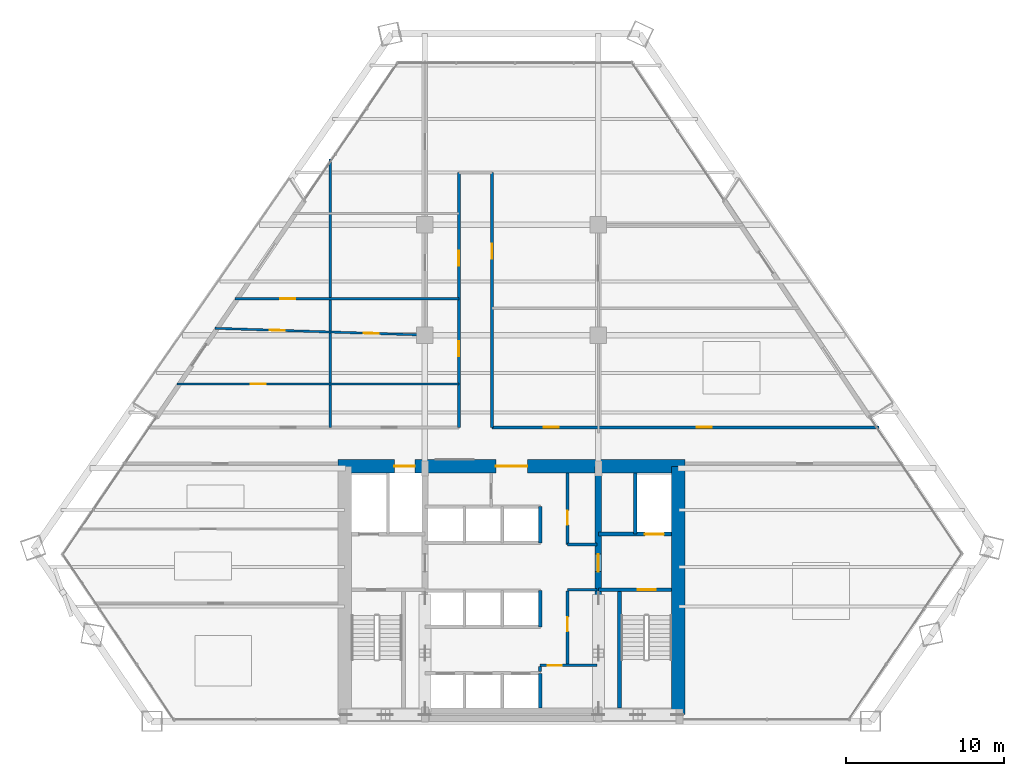
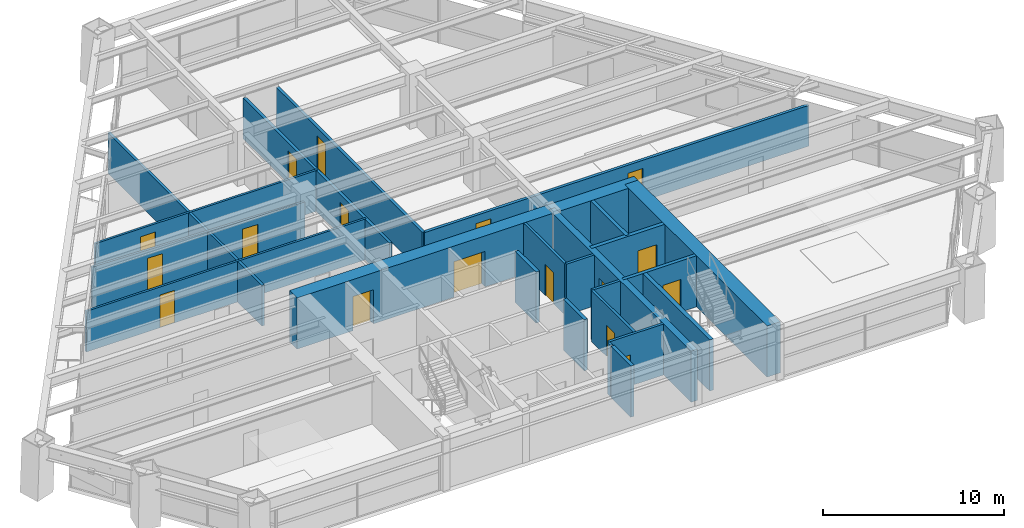
# One storey, part 11 of 14: 23 walls, 17 doors, 17 openings.
"""IFC4 building model written with IfcOpenShell, lengths in metres."""

from ifc_helpers import new_model, si_unit, direction, frame, frame_2d, origin, place, context, subcontext, project, spatial, rectangle, extrude, source, transform, mapped, material, layer, layer_set, type_object, type_shapes, element, fill, save


model = new_model("IFC4")

# Units and contexts
model_context = context("Model", 3, precision=1e-05, world=origin(), true_north=direction((0.0, 1.0)))
body_context = subcontext(model_context, "Body", "Model", "MODEL_VIEW")
ifc_project = project(units=[si_unit("LENGTHUNIT", "METRE"), si_unit("AREAUNIT", "SQUARE_METRE"), si_unit("VOLUMEUNIT", "CUBIC_METRE"), si_unit("PLANEANGLEUNIT", "RADIAN"), si_unit("MASSUNIT", "GRAM", prefix="KILO")], contexts=[model_context])

# Site, building, storey
site_placement = place(None, origin())
site = spatial("IfcSite", under=ifc_project, at=site_placement, CompositionType="ELEMENT")
building_placement = place(site_placement, origin())
building = spatial("IfcBuilding", under=site, at=building_placement, Name="Varnakhor Terracotta Tower", CompositionType="ELEMENT")
storey_placement = place(building_placement, frame((0.0, 0.0, 46.0)))
storey = spatial("IfcBuildingStorey", under=building, at=storey_placement, Name="L10", CompositionType="ELEMENT", Elevation=46.0)

# Wall, openings, doors
ifc_material_1 = material(Name="Concrete C60/75", Category="concrete")
ifc_layer_1 = layer(ifc_material_1, 0.85009765625, Name="Concrete C60/75")
ifc_layer_set_1 = layer_set([ifc_layer_1], Name="Concrete C60/75")
wall_type_1 = type_object("IfcWallType", Name="WAL-CORE-850", PredefinedType="SHEAR", material=ifc_layer_set_1)
wall_1_placement = place(storey_placement, frame((-11.0, 16.175048828125, 0.0), z_axis=(0.0, 0.0, 1.0), x_axis=(1.0, 0.0, 0.0)))
wall_1 = element("IfcWall", 1, at=wall_1_placement, inside=storey, type_object=wall_type_1, Name="L10 North Core Shear Wall", PredefinedType="SHEAR", context=body_context, shape_type="SweptSolid", body=[
    extrude(rectangle(XDim=22.0, YDim=0.85009765625, at=frame_2d((11.0, 0.0))), origin(), (0.0, 0.0, 1.0), 3.449951171875),
])
opening_1_placement = place(wall_1_placement, frame((3.570068359375, 0.0, 0.0)))
opening_1 = element("IfcOpeningElement", 2, at=opening_1_placement, cuts=wall_1, Name="Opening LD-03", PredefinedType="OPENING", context=body_context, shape_type="SweptSolid", body=[
    extrude(rectangle(XDim=1.300048828125, YDim=2.300048828125, at=frame_2d((0.64990234375, 1.14990234375))), frame((0.0, 0.43505859375, 0.0), z_axis=(0.0, -1.0, 0.0), x_axis=(1.0, 0.0, 0.0)), (0.0, 0.0, 1.0), 0.8701171875),
])
opening_2_placement = place(wall_1_placement, frame((10.0, 0.0, 0.0)))
opening_2 = element("IfcOpeningElement", 3, at=opening_2_placement, cuts=wall_1, Name="Opening DR-32", PredefinedType="OPENING", context=body_context, shape_type="SweptSolid", body=[
    extrude(rectangle(XDim=2.0, YDim=2.39990234375, at=frame_2d((1.0, 1.199951171875))), frame((0.0, 0.43505859375, 0.0), z_axis=(0.0, -1.0, 0.0), x_axis=(1.0, 0.0, 0.0)), (0.0, 0.0, 1.0), 0.8701171875),
])
ifc_material_2 = material(Name="Heavy-Duty Goods Sliding Lift Landing Door", Category="steel")
door_type_1 = type_object("IfcDoorType", Name="LD-SRV-1300X2300", OperationType="NOTDEFINED", PredefinedType="DOOR", material=ifc_material_2)
shared_shape_1 = source(origin(), body_context, "Body", "SweptSolid", [
    extrude(rectangle(XDim=1.300048828125, YDim=2.300048828125, at=frame_2d((0.64990234375, 1.14990234375))), frame((0.0, 0.02490234375, 0.0), z_axis=(0.0, -1.0, 0.0), x_axis=(1.0, 0.0, 0.0)), (0.0, 0.0, 1.0), 0.050048828125),
])
type_shapes(door_type_1, [shared_shape_1])
door_1_placement = place(opening_1_placement, origin())
door_1 = element("IfcDoor", 4, at=door_1_placement, inside=storey, type_object=door_type_1, Name="L10 Service Lift SVL-1 Landing Door", OperationType="SLIDING_TO_RIGHT", OverallHeight=2.300048828125, OverallWidth=1.300048828125, PredefinedType="DOOR", context=body_context, shape_type="MappedRepresentation", body=[
    mapped(shared_shape_1, transform((0.0, 0.0, 0.0), scale=1.0)),
])
fill(opening_1, door_1)
ifc_material_3 = material(Name="Acoustic Double Assembly Fire Door", Category="wood")
door_type_2 = type_object("IfcDoorType", Name="DR-HALL-2000X2400", OperationType="NOTDEFINED", PredefinedType="DOOR", material=ifc_material_3)
shared_shape_2 = source(origin(), body_context, "Body", "SweptSolid", [
    extrude(rectangle(XDim=2.0, YDim=2.39990234375, at=frame_2d((1.0, 1.199951171875))), frame((0.0, 0.02490234375, 0.0), z_axis=(0.0, -1.0, 0.0), x_axis=(1.0, 0.0, 0.0)), (0.0, 0.0, 1.0), 0.050048828125),
])
type_shapes(door_type_2, [shared_shape_2])
door_2_placement = place(opening_2_placement, origin())
door_2 = element("IfcDoor", 5, at=door_2_placement, inside=storey, type_object=door_type_2, Name="L10 Core Main Lobby Double Door", OperationType="DOUBLE_DOOR_SINGLE_SWING", OverallHeight=2.39990234375, OverallWidth=2.0, PredefinedType="DOOR", context=body_context, shape_type="MappedRepresentation", body=[
    mapped(shared_shape_2, transform((0.0, 0.0, 0.0), scale=1.0)),
])
fill(opening_2, door_2)

# Wall
wall_2_placement = place(storey_placement, frame((10.574951171875, 0.425048828125, 0.0), z_axis=(0.0, 0.0, 1.0), x_axis=(0.0, 1.0, 0.0)))
element("IfcWall", 6, at=wall_2_placement, inside=storey, type_object=wall_type_1, Name="L10 East Core Shear Wall", PredefinedType="SHEAR", context=body_context, shape_type="SweptSolid", body=[
    extrude(rectangle(XDim=15.75, YDim=0.85009765625, at=frame_2d((7.875, 0.0))), origin(), (0.0, 0.0, 1.0), 3.449951171875),
])

# Wall, opening, door
ifc_material_4 = material(Name="Concrete C50/60", Category="concrete")
ifc_layer_2 = layer(ifc_material_4, 0.39990234375, Name="Concrete C50/60")
ifc_layer_set_2 = layer_set([ifc_layer_2], Name="Concrete C50/60")
wall_type_2 = type_object("IfcWallType", Name="WAL-CORE-WEB-400", PredefinedType="SHEAR", material=ifc_layer_set_2)
wall_3_placement = place(storey_placement, frame((5.5, 0.425048828125, 0.0), z_axis=(0.0, 0.0, 1.0), x_axis=(0.0, 1.0, 0.0)))
wall_3 = element("IfcWall", 7, at=wall_3_placement, inside=storey, type_object=wall_type_2, Name="L10 East Core Web Shear Wall", PredefinedType="SHEAR", context=body_context, shape_type="SweptSolid", body=[
    extrude(rectangle(XDim=15.75, YDim=0.39990234375, at=frame_2d((7.875, 0.0))), origin(), (0.0, 0.0, 1.0), 3.449951171875),
])
opening_3_placement = place(wall_3_placement, frame((9.074951171875, 0.0, 0.0)))
opening_3 = element("IfcOpeningElement", 8, at=opening_3_placement, cuts=wall_3, Name="Opening DR-25", PredefinedType="OPENING", context=body_context, shape_type="SweptSolid", body=[
    extrude(rectangle(XDim=1.10009765625, YDim=2.199951171875, at=frame_2d((0.550048828125, 1.10009765625))), frame((0.0, 0.2099609375, 0.0), z_axis=(0.0, -1.0, 0.0), x_axis=(1.0, 0.0, 0.0)), (0.0, 0.0, 1.0), 0.419921875),
])
ifc_material_5 = material(Name="Firefighting Lobby Self-Closing Fire Door", Category="steel")
door_type_3 = type_object("IfcDoorType", Name="DR-FFL-1100X2200", OperationType="NOTDEFINED", PredefinedType="DOOR", material=ifc_material_5)
shared_shape_3 = source(origin(), body_context, "Body", "SweptSolid", [
    extrude(rectangle(XDim=1.10009765625, YDim=2.199951171875, at=frame_2d((0.550048828125, 1.10009765625))), frame((0.0, 0.02490234375, 0.0), z_axis=(0.0, -1.0, 0.0), x_axis=(1.0, 0.0, 0.0)), (0.0, 0.0, 1.0), 0.050048828125),
])
type_shapes(door_type_3, [shared_shape_3])
door_3_placement = place(opening_3_placement, origin())
door_3 = element("IfcDoor", 9, at=door_3_placement, inside=storey, type_object=door_type_3, Name="L10 East Firefighting Lobby Door", OperationType="SINGLE_SWING_RIGHT", OverallHeight=2.199951171875, OverallWidth=1.10009765625, PredefinedType="DOOR", context=body_context, shape_type="MappedRepresentation", body=[
    mapped(shared_shape_3, transform((0.0, 0.0, 0.0), scale=1.0)),
])
fill(opening_3, door_3)

# Wall, openings, doors
ifc_material_6 = material(Name="Fire-Rated Gypsum Stud Partition", Category="gypsum")
ifc_layer_3 = layer(ifc_material_6, 0.18505859375, Name="Fire-Rated Gypsum Stud Partition")
ifc_layer_set_3 = layer_set([ifc_layer_3], Name="Fire-Rated Gypsum Stud Partition")
wall_type_3 = type_object("IfcWallType", Name="WAL-CORR-185", PredefinedType="PARTITIONING", material=ifc_layer_set_3)
wall_4_placement = place(storey_placement, frame((-1.25, 18.64990234375, 0.0), z_axis=(0.0, 0.0, 1.0), x_axis=(1.0, 0.0, 0.0)))
wall_4 = element("IfcWall", 10, at=wall_4_placement, inside=storey, type_object=wall_type_3, Name="L10 Corridor North East Wall", PredefinedType="PARTITIONING", context=body_context, shape_type="SweptSolid", body=[
    extrude(rectangle(XDim=24.535400390625, YDim=0.18505859375, at=frame_2d((12.267578125, 0.0))), origin(), (0.0, 0.0, 1.0), 2.7470703125),
])
opening_4_placement = place(wall_4_placement, frame((12.985595703125, 0.0, 0.0)))
opening_4 = element("IfcOpeningElement", 11, at=opening_4_placement, cuts=wall_4, Name="Opening DR-94", PredefinedType="OPENING", context=body_context, shape_type="SweptSolid", body=[
    extrude(rectangle(XDim=0.949951171875, YDim=2.199951171875, at=frame_2d((0.47509765625, 1.10009765625))), frame((0.0, 0.1025390625, 0.0), z_axis=(0.0, -1.0, 0.0), x_axis=(1.0, 0.0, 0.0)), (0.0, 0.0, 1.0), 0.205078125),
])
opening_5_placement = place(wall_4_placement, frame((3.30029296875, 0.0, 0.0)))
opening_5 = element("IfcOpeningElement", 12, at=opening_5_placement, cuts=wall_4, Name="Opening DR-94", PredefinedType="OPENING", context=body_context, shape_type="SweptSolid", body=[
    extrude(rectangle(XDim=0.949951171875, YDim=2.199951171875, at=frame_2d((0.47509765625, 1.10009765625))), frame((0.0, 0.1025390625, 0.0), z_axis=(0.0, -1.0, 0.0), x_axis=(1.0, 0.0, 0.0)), (0.0, 0.0, 1.0), 0.205078125),
])
ifc_material_7 = material(Name="Acoustic Glazed-Vision Timber Office Door", Category="wood")
door_type_4 = type_object("IfcDoorType", Name="DR-OFF-950X2200", OperationType="NOTDEFINED", PredefinedType="DOOR", material=ifc_material_7)
shared_shape_4 = source(origin(), body_context, "Body", "SweptSolid", [
    extrude(rectangle(XDim=0.949951171875, YDim=2.199951171875, at=frame_2d((0.47509765625, 1.10009765625))), frame((0.0, 0.02490234375, 0.0), z_axis=(0.0, -1.0, 0.0), x_axis=(1.0, 0.0, 0.0)), (0.0, 0.0, 1.0), 0.050048828125),
])
type_shapes(door_type_4, [shared_shape_4])
door_4_placement = place(opening_4_placement, origin())
door_4 = element("IfcDoor", 13, at=door_4_placement, inside=storey, type_object=door_type_4, Name="L10 East Workplace Door", OperationType="SINGLE_SWING_RIGHT", OverallHeight=2.199951171875, OverallWidth=0.949951171875, PredefinedType="DOOR", context=body_context, shape_type="MappedRepresentation", body=[
    mapped(shared_shape_4, transform((0.0, 0.0, 0.0), scale=1.0)),
])
fill(opening_4, door_4)
door_5_placement = place(opening_5_placement, origin())
door_5 = element("IfcDoor", 14, at=door_5_placement, inside=storey, type_object=door_type_4, Name="L10 Partner Office W2 B9 Door", OperationType="SINGLE_SWING_LEFT", OverallHeight=2.199951171875, OverallWidth=0.949951171875, PredefinedType="DOOR", context=body_context, shape_type="MappedRepresentation", body=[
    mapped(shared_shape_4, transform((0.0, 0.0, 0.0), scale=1.0)),
])
fill(opening_5, door_5)

wall_5_placement = place(storey_placement, frame((-3.35009765625, 18.64990234375, 0.0), z_axis=(0.0, 0.0, 1.0), x_axis=(0.0, 1.0, 0.0)))
wall_5 = element("IfcWall", 15, at=wall_5_placement, inside=storey, type_object=wall_type_3, Name="L10 Spine West Wall", PredefinedType="PARTITIONING", context=body_context, shape_type="SweptSolid", body=[
    extrude(rectangle(XDim=16.150146484375, YDim=0.18505859375, at=frame_2d((8.0751953125, 0.0))), origin(), (0.0, 0.0, 1.0), 2.7470703125),
])
opening_6_placement = place(wall_5_placement, frame((4.506103515625, 0.0, 0.0)))
opening_6 = element("IfcOpeningElement", 16, at=opening_6_placement, cuts=wall_5, Name="Opening DR-94", PredefinedType="OPENING", context=body_context, shape_type="SweptSolid", body=[
    extrude(rectangle(XDim=0.949951171875, YDim=2.199951171875, at=frame_2d((0.47509765625, 1.10009765625))), frame((0.0, 0.1025390625, 0.0), z_axis=(0.0, -1.0, 0.0), x_axis=(1.0, 0.0, 0.0)), (0.0, 0.0, 1.0), 0.205078125),
])
opening_7_placement = place(wall_5_placement, frame((10.25830078125, 0.0, 0.0)))
opening_7 = element("IfcOpeningElement", 17, at=opening_7_placement, cuts=wall_5, Name="Opening DR-94", PredefinedType="OPENING", context=body_context, shape_type="SweptSolid", body=[
    extrude(rectangle(XDim=0.949951171875, YDim=2.199951171875, at=frame_2d((0.47509765625, 1.10009765625))), frame((0.0, 0.1025390625, 0.0), z_axis=(0.0, -1.0, 0.0), x_axis=(1.0, 0.0, 0.0)), (0.0, 0.0, 1.0), 0.205078125),
])
door_6_placement = place(opening_6_placement, origin())
door_6 = element("IfcDoor", 18, at=door_6_placement, inside=storey, type_object=door_type_4, Name="L10 Spine West Door", OperationType="SINGLE_SWING_LEFT", OverallHeight=2.199951171875, OverallWidth=0.949951171875, PredefinedType="DOOR", context=body_context, shape_type="MappedRepresentation", body=[
    mapped(shared_shape_4, transform((0.0, 0.0, 0.0), scale=1.0)),
])
fill(opening_6, door_6)
door_7_placement = place(opening_7_placement, origin())
door_7 = element("IfcDoor", 19, at=door_7_placement, inside=storey, type_object=door_type_4, Name="L10 Partner Office W1 B16 Door", OperationType="SINGLE_SWING_LEFT", OverallHeight=2.199951171875, OverallWidth=0.949951171875, PredefinedType="DOOR", context=body_context, shape_type="MappedRepresentation", body=[
    mapped(shared_shape_4, transform((0.0, 0.0, 0.0), scale=1.0)),
])
fill(opening_7, door_7)

# Wall, opening, door
wall_6_placement = place(storey_placement, frame((-1.25, 18.64990234375, 0.0), z_axis=(0.0, 0.0, 1.0), x_axis=(0.0, 1.0, 0.0)))
wall_6 = element("IfcWall", 20, at=wall_6_placement, inside=storey, type_object=wall_type_3, Name="L10 Spine East Wall", PredefinedType="PARTITIONING", context=body_context, shape_type="SweptSolid", body=[
    extrude(rectangle(XDim=16.150146484375, YDim=0.18505859375, at=frame_2d((8.0751953125, 0.0))), origin(), (0.0, 0.0, 1.0), 2.7470703125),
])
opening_8_placement = place(wall_6_placement, frame((10.694091796875, 0.0, 0.0)))
opening_8 = element("IfcOpeningElement", 21, at=opening_8_placement, cuts=wall_6, Name="Opening DR-94", PredefinedType="OPENING", context=body_context, shape_type="SweptSolid", body=[
    extrude(rectangle(XDim=0.949951171875, YDim=2.199951171875, at=frame_2d((0.47509765625, 1.10009765625))), frame((0.0, 0.1025390625, 0.0), z_axis=(0.0, -1.0, 0.0), x_axis=(1.0, 0.0, 0.0)), (0.0, 0.0, 1.0), 0.205078125),
])
door_8_placement = place(opening_8_placement, origin())
door_8 = element("IfcDoor", 22, at=door_8_placement, inside=storey, type_object=door_type_4, Name="L10 Spine East Door", OperationType="SINGLE_SWING_RIGHT", OverallHeight=2.199951171875, OverallWidth=0.949951171875, PredefinedType="DOOR", context=body_context, shape_type="MappedRepresentation", body=[
    mapped(shared_shape_4, transform((0.0, 0.0, 0.0), scale=1.0)),
])
fill(opening_8, door_8)

ifc_material_8 = material(Name="Concrete C40/50", Category="concrete")
ifc_layer_4 = layer(ifc_material_8, 0.219970703125, Name="Concrete C40/50")
ifc_layer_set_4 = layer_set([ifc_layer_4], Name="Concrete C40/50")
wall_type_4 = type_object("IfcWallType", Name="WAL-FFLOBBY-220", PredefinedType="SOLIDWALL", material=ifc_layer_set_4)
wall_7_placement = place(storey_placement, frame((10.14990234375, 8.35009765625, 0.0), z_axis=(0.0, 0.0, 1.0), x_axis=(-1.0, 0.0, 0.0)))
wall_7 = element("IfcWall", 23, at=wall_7_placement, inside=storey, type_object=wall_type_4, Name="L10 East Firefighting Lobby Stair Wall", PredefinedType="SOLIDWALL", context=body_context, shape_type="SweptSolid", body=[
    extrude(rectangle(XDim=4.64990234375, YDim=0.219970703125, at=frame_2d((2.324951171875, 0.0))), origin(), (0.0, 0.0, 1.0), 3.449951171875),
])
opening_9_placement = place(wall_7_placement, frame((1.0, 0.0, 0.0)))
opening_9 = element("IfcOpeningElement", 24, at=opening_9_placement, cuts=wall_7, Name="Opening DR-34", PredefinedType="OPENING", context=body_context, shape_type="SweptSolid", body=[
    extrude(rectangle(XDim=1.14990234375, YDim=2.199951171875, at=frame_2d((0.574951171875, 1.10009765625))), frame((0.0, 0.1201171875, 0.0), z_axis=(0.0, -1.0, 0.0), x_axis=(1.0, 0.0, 0.0)), (0.0, 0.0, 1.0), 0.239990234375),
])
ifc_material_9 = material(Name="Self-Closing Smoke-Sealed Steel Fire Door", Category="steel")
door_type_5 = type_object("IfcDoorType", Name="DR-STAIR-1150X2200", OperationType="NOTDEFINED", PredefinedType="DOOR", material=ifc_material_9)
shared_shape_5 = source(origin(), body_context, "Body", "SweptSolid", [
    extrude(rectangle(XDim=1.14990234375, YDim=2.199951171875, at=frame_2d((0.574951171875, 1.10009765625))), frame((0.0, 0.02490234375, 0.0), z_axis=(0.0, -1.0, 0.0), x_axis=(1.0, 0.0, 0.0)), (0.0, 0.0, 1.0), 0.050048828125),
])
type_shapes(door_type_5, [shared_shape_5])
door_9_placement = place(opening_9_placement, origin())
door_9 = element("IfcDoor", 25, at=door_9_placement, inside=storey, type_object=door_type_5, Name="L10 Exit Stair ST-2 Fire Door", OperationType="SINGLE_SWING_LEFT", OverallHeight=2.199951171875, OverallWidth=1.14990234375, PredefinedType="DOOR", context=body_context, shape_type="MappedRepresentation", body=[
    mapped(shared_shape_5, transform((0.0, 0.0, 0.0), scale=1.0)),
])
fill(opening_9, door_9)

# Wall, openings, doors
ifc_material_10 = material(Name="Acoustic Metal-Stud Partition", Category="gypsum")
ifc_layer_5 = layer(ifc_material_10, 0.139892578125, Name="Acoustic Metal-Stud Partition")
ifc_layer_set_5 = layer_set([ifc_layer_5], Name="Acoustic Metal-Stud Partition")
wall_type_5 = type_object("IfcWallType", Name="WAL-PART-140", PredefinedType="PARTITIONING", material=ifc_layer_set_5)
wall_8_placement = place(storey_placement, frame((-18.818603515625, 24.928466796875, 0.0), z_axis=(0.0, 0.0, 1.0), x_axis=(0.999482929185, -0.032153915288, 0.0)))
wall_8 = element("IfcWall", 26, at=wall_8_placement, inside=storey, type_object=wall_type_5, Name="L10 Mid West Column Wall", PredefinedType="PARTITIONING", context=body_context, shape_type="SweptSolid", body=[
    extrude(rectangle(XDim=13.325439453125, YDim=0.139892578125, at=frame_2d((6.66259765625, 0.0))), origin(), (0.0, 0.0, 1.0), 2.7470703125),
])
opening_10_placement = place(wall_8_placement, frame((9.438232421875, 0.0, 0.0)))
opening_10 = element("IfcOpeningElement", 27, at=opening_10_placement, cuts=wall_8, Name="Opening DR-94", PredefinedType="OPENING", context=body_context, shape_type="SweptSolid", body=[
    extrude(rectangle(XDim=0.949951171875, YDim=2.199951171875, at=frame_2d((0.47509765625, 1.10009765625))), frame((0.0, 0.080078125, 0.0), z_axis=(0.0, -1.0, 0.0), x_axis=(1.0, 0.0, 0.0)), (0.0, 0.0, 1.0), 0.159912109375),
])
opening_11_placement = place(wall_8_placement, frame((3.470703125, 0.0, 0.0)))
opening_11 = element("IfcOpeningElement", 28, at=opening_11_placement, cuts=wall_8, Name="Opening DR-94", PredefinedType="OPENING", context=body_context, shape_type="SweptSolid", body=[
    extrude(rectangle(XDim=0.949951171875, YDim=2.199951171875, at=frame_2d((0.47509765625, 1.10009765625))), frame((0.0, 0.080078125, 0.0), z_axis=(0.0, -1.0, 0.0), x_axis=(1.0, 0.0, 0.0)), (0.0, 0.0, 1.0), 0.159912109375),
])
door_10_placement = place(opening_10_placement, origin())
door_10 = element("IfcDoor", 29, at=door_10_placement, inside=storey, type_object=door_type_4, Name="L10 Seminar Training Room B12 Door", OperationType="SINGLE_SWING_LEFT", OverallHeight=2.199951171875, OverallWidth=0.949951171875, PredefinedType="DOOR", context=body_context, shape_type="MappedRepresentation", body=[
    mapped(shared_shape_4, transform((0.0, 0.0, 0.0), scale=1.0)),
])
fill(opening_10, door_10)
door_11_placement = place(opening_11_placement, origin())
door_11 = element("IfcDoor", 30, at=door_11_placement, inside=storey, type_object=door_type_4, Name="L10 Client Reception B13 Door", OperationType="SINGLE_SWING_RIGHT", OverallHeight=2.199951171875, OverallWidth=0.949951171875, PredefinedType="DOOR", context=body_context, shape_type="MappedRepresentation", body=[
    mapped(shared_shape_4, transform((0.0, 0.0, 0.0), scale=1.0)),
])
fill(opening_11, door_11)

# Wall, opening, door
wall_9_placement = place(storey_placement, frame((-21.22265625, 21.39990234375, 0.0), z_axis=(0.0, 0.0, 1.0), x_axis=(1.0, 0.0, 0.0)))
wall_9 = element("IfcWall", 31, at=wall_9_placement, inside=storey, type_object=wall_type_5, Name="L10 West Wing Cut 1", PredefinedType="PARTITIONING", context=body_context, shape_type="SweptSolid", body=[
    extrude(rectangle(XDim=17.87255859375, YDim=0.139892578125, at=frame_2d((8.936279296875, 0.0))), origin(), (0.0, 0.0, 1.0), 2.7470703125),
])
opening_12_placement = place(wall_9_placement, frame((4.680908203125, 0.0, 0.0)))
opening_12 = element("IfcOpeningElement", 32, at=opening_12_placement, cuts=wall_9, Name="Opening DR-94", PredefinedType="OPENING", context=body_context, shape_type="SweptSolid", body=[
    extrude(rectangle(XDim=0.949951171875, YDim=2.199951171875, at=frame_2d((0.47509765625, 1.10009765625))), frame((0.0, 0.080078125, 0.0), z_axis=(0.0, -1.0, 0.0), x_axis=(1.0, 0.0, 0.0)), (0.0, 0.0, 1.0), 0.159912109375),
])
door_12_placement = place(opening_12_placement, origin())
door_12 = element("IfcDoor", 33, at=door_12_placement, inside=storey, type_object=door_type_4, Name="L10 Partner Office W3 B10 Door", OperationType="SINGLE_SWING_RIGHT", OverallHeight=2.199951171875, OverallWidth=0.949951171875, PredefinedType="DOOR", context=body_context, shape_type="MappedRepresentation", body=[
    mapped(shared_shape_4, transform((0.0, 0.0, 0.0), scale=1.0)),
])
fill(opening_12, door_12)

wall_10_placement = place(storey_placement, frame((-17.543212890625, 26.800048828125, 0.0), z_axis=(0.0, 0.0, 1.0), x_axis=(1.0, 0.0, 0.0)))
wall_10 = element("IfcWall", 34, at=wall_10_placement, inside=storey, type_object=wall_type_5, Name="L10 West Wing Cut 2", PredefinedType="PARTITIONING", context=body_context, shape_type="SweptSolid", body=[
    extrude(rectangle(XDim=14.193115234375, YDim=0.139892578125, at=frame_2d((7.0966796875, 0.0))), origin(), (0.0, 0.0, 1.0), 2.7470703125),
])
opening_13_placement = place(wall_10_placement, frame((2.8798828125, 0.0, 0.0)))
opening_13 = element("IfcOpeningElement", 35, at=opening_13_placement, cuts=wall_10, Name="Opening DR-94", PredefinedType="OPENING", context=body_context, shape_type="SweptSolid", body=[
    extrude(rectangle(XDim=0.949951171875, YDim=2.199951171875, at=frame_2d((0.47509765625, 1.10009765625))), frame((0.0, 0.080078125, 0.0), z_axis=(0.0, -1.0, 0.0), x_axis=(1.0, 0.0, 0.0)), (0.0, 0.0, 1.0), 0.159912109375),
])
door_13_placement = place(opening_13_placement, origin())
door_13 = element("IfcDoor", 36, at=door_13_placement, inside=storey, type_object=door_type_4, Name="L10 Project Study Office B15 Door", OperationType="SINGLE_SWING_RIGHT", OverallHeight=2.199951171875, OverallWidth=0.949951171875, PredefinedType="DOOR", context=body_context, shape_type="MappedRepresentation", body=[
    mapped(shared_shape_4, transform((0.0, 0.0, 0.0), scale=1.0)),
])
fill(opening_13, door_13)

# Walls
ifc_layer_6 = layer(ifc_material_8, 0.219970703125, Name="Concrete C40/50")
ifc_layer_set_6 = layer_set([ifc_layer_6], Name="Concrete C40/50")
wall_type_6 = type_object("IfcWallType", Name="WAL-SHAFT-220", PredefinedType="SOLIDWALL", material=ifc_layer_set_6)
wall_11_placement = place(storey_placement, frame((7.840087890625, 11.8701171875, 0.0), z_axis=(0.0, 0.0, 1.0), x_axis=(0.0, 1.0, 0.0)))
element("IfcWall", 37, at=wall_11_placement, inside=storey, type_object=wall_type_6, Name="L10 Lift FFL-2 and Riser Divider Wall", PredefinedType="SOLIDWALL", context=body_context, shape_type="SweptSolid", body=[
    extrude(rectangle(XDim=3.8798828125, YDim=0.219970703125, at=frame_2d((1.93994140625, 0.0))), origin(), (0.0, 0.0, 1.0), 3.449951171875),
])
wall_12_placement = place(storey_placement, frame((1.800048828125, 0.85009765625, 0.0), z_axis=(0.0, 0.0, 1.0), x_axis=(0.0, 1.0, 0.0)))
element("IfcWall", 38, at=wall_12_placement, inside=storey, type_object=wall_type_6, Name="L10 Bank 1 East Shaft Wall", PredefinedType="SOLIDWALL", context=body_context, shape_type="SweptSolid", body=[
    extrude(rectangle(XDim=2.199951171875, YDim=0.219970703125, at=frame_2d((1.10009765625, 0.0))), origin(), (0.0, 0.0, 1.0), 3.449951171875),
])
for number, where, z_axis, x_axis, name in (
    (39, (1.800048828125, 6.0, 0.0), (0.0, 0.0, 1.0), (0.0, 1.0, 0.0), "L10 Bank 2 East Shaft Wall"),
    (40, (1.800048828125, 11.320068359375, 0.0), (0.0, 0.0, 1.0), (0.0, 1.0, 0.0), "L10 Bank 3 East Shaft Wall"),
):
    element("IfcWall", number, at=place(storey_placement, frame(where, z_axis=z_axis, x_axis=x_axis)), inside=storey, type_object=wall_type_6, Name=name, PredefinedType="SOLIDWALL", context=body_context, shape_type="SweptSolid", body=[
        extrude(rectangle(XDim=2.300048828125, YDim=0.219970703125, at=frame_2d((1.14990234375, 0.0))), origin(), (0.0, 0.0, 1.0), 3.449951171875),
    ])
ifc_layer_7 = layer(ifc_material_8, 0.25, Name="Concrete C40/50")
ifc_layer_set_7 = layer_set([ifc_layer_7], Name="Concrete C40/50")
wall_type_7 = type_object("IfcWallType", Name="WAL-SHAFT-250", PredefinedType="SOLIDWALL", material=ifc_layer_set_7)
wall_13_placement = place(storey_placement, frame((6.85009765625, 0.85009765625, 0.0), z_axis=(0.0, 0.0, 1.0), x_axis=(0.0, 1.0, 0.0)))
element("IfcWall", 41, at=wall_13_placement, inside=storey, type_object=wall_type_7, Name="L10 Stair ST-2 Bearing Shaft Wall", PredefinedType="SOLIDWALL", context=body_context, shape_type="SweptSolid", body=[
    extrude(rectangle(XDim=7.5, YDim=0.25, at=frame_2d((3.75, 0.0))), origin(), (0.0, 0.0, 1.0), 3.449951171875),
])

# Wall, opening, door
wall_14_placement = place(storey_placement, frame((10.14990234375, 11.8701171875, 0.0), z_axis=(0.0, 0.0, 1.0), x_axis=(-1.0, 0.0, 0.0)))
wall_14 = element("IfcWall", 42, at=wall_14_placement, inside=storey, type_object=wall_type_7, Name="L10 Lift FFL-2 Shaft Front Wall", PredefinedType="SOLIDWALL", context=body_context, shape_type="SweptSolid", body=[
    extrude(rectangle(XDim=4.64990234375, YDim=0.25, at=frame_2d((2.324951171875, 0.0))), origin(), (0.0, 0.0, 1.0), 3.449951171875),
])
opening_14_placement = place(wall_14_placement, frame((0.5, 0.0, 0.0)))
opening_14 = element("IfcOpeningElement", 43, at=opening_14_placement, cuts=wall_14, Name="Opening LD-02", PredefinedType="OPENING", context=body_context, shape_type="SweptSolid", body=[
    extrude(rectangle(XDim=1.199951171875, YDim=2.25, at=frame_2d((0.60009765625, 1.125))), frame((0.0, 0.135009765625, 0.0), z_axis=(0.0, -1.0, 0.0), x_axis=(1.0, 0.0, 0.0)), (0.0, 0.0, 1.0), 0.27001953125),
])
ifc_material_11 = material(Name="Firefighting Stretcher Sliding Lift Landing Door", Category="steel")
door_type_6 = type_object("IfcDoorType", Name="LD-FFL-1200X2250", OperationType="NOTDEFINED", PredefinedType="DOOR", material=ifc_material_11)
shared_shape_6 = source(origin(), body_context, "Body", "SweptSolid", [
    extrude(rectangle(XDim=1.199951171875, YDim=2.25, at=frame_2d((0.60009765625, 1.125))), frame((0.0, 0.02490234375, 0.0), z_axis=(0.0, -1.0, 0.0), x_axis=(1.0, 0.0, 0.0)), (0.0, 0.0, 1.0), 0.050048828125),
])
type_shapes(door_type_6, [shared_shape_6])
door_14_placement = place(opening_14_placement, origin())
door_14 = element("IfcDoor", 44, at=door_14_placement, inside=storey, type_object=door_type_6, Name="L10 Firefighting Lift FFL-2 Landing Door", OperationType="SLIDING_TO_RIGHT", OverallHeight=2.25, OverallWidth=1.199951171875, PredefinedType="DOOR", context=body_context, shape_type="MappedRepresentation", body=[
    mapped(shared_shape_6, transform((0.0, 0.0, 0.0), scale=1.0)),
])
fill(opening_14, door_14)

# Wall
ifc_material_12 = material(Name="Acoustic Fire-Rated Partition", Category="gypsum")
ifc_layer_8 = layer(ifc_material_12, 0.1650390625, Name="Acoustic Fire-Rated Partition")
ifc_layer_set_8 = layer_set([ifc_layer_8], Name="Acoustic Fire-Rated Partition")
wall_type_8 = type_object("IfcWallType", Name="WAL-TENANCY-165", PredefinedType="PARTITIONING", material=ifc_layer_set_8)
wall_15_placement = place(storey_placement, frame((1.800048828125, 3.159912109375, 0.0), z_axis=(0.0, 0.0, 1.0), x_axis=(0.0, 1.0, 0.0)))
element("IfcWall", 45, at=wall_15_placement, inside=storey, type_object=wall_type_8, Name="L10 Core South West Return Wall", PredefinedType="PARTITIONING", context=body_context, shape_type="SweptSolid", body=[
    extrude(rectangle(XDim=0.3076171875, YDim=0.1650390625, at=frame_2d((0.15380859375, 0.0))), origin(), (0.0, 0.0, 1.0), 3.44189453125),
])

# Wall, opening, door
wall_16_placement = place(storey_placement, frame((3.5400390625, 3.632568359375, 0.0), z_axis=(0.0, 0.0, 1.0), x_axis=(0.0, 1.0, 0.0)))
wall_16 = element("IfcWall", 46, at=wall_16_placement, inside=storey, type_object=wall_type_8, Name="L10 Core Service Rated Wall", PredefinedType="PARTITIONING", context=body_context, shape_type="SweptSolid", body=[
    extrude(rectangle(XDim=4.625, YDim=0.1650390625, at=frame_2d((2.3125, 0.0))), origin(), (0.0, 0.0, 1.0), 3.44189453125),
])
opening_15_placement = place(wall_16_placement, frame((2.081298828125, 0.0, 0.0)))
opening_15 = element("IfcOpeningElement", 47, at=opening_15_placement, cuts=wall_16, Name="Opening DR-67", PredefinedType="OPENING", context=body_context, shape_type="SweptSolid", body=[
    extrude(rectangle(XDim=0.89990234375, YDim=2.10009765625, at=frame_2d((0.449951171875, 1.050048828125))), frame((0.0, 0.092529296875, 0.0), z_axis=(0.0, -1.0, 0.0), x_axis=(1.0, 0.0, 0.0)), (0.0, 0.0, 1.0), 0.18505859375),
])
ifc_material_13 = material(Name="Steel Service Riser Fire Door", Category="steel")
door_type_7 = type_object("IfcDoorType", Name="DR-RISER-900X2100", OperationType="NOTDEFINED", PredefinedType="DOOR", material=ifc_material_13)
shared_shape_7 = source(origin(), body_context, "Body", "SweptSolid", [
    extrude(rectangle(XDim=0.89990234375, YDim=2.10009765625, at=frame_2d((0.449951171875, 1.050048828125))), frame((0.0, 0.02490234375, 0.0), z_axis=(0.0, -1.0, 0.0), x_axis=(1.0, 0.0, 0.0)), (0.0, 0.0, 1.0), 0.050048828125),
])
type_shapes(door_type_7, [shared_shape_7])
door_15_placement = place(opening_15_placement, origin())
door_15 = element("IfcDoor", 48, at=door_15_placement, inside=storey, type_object=door_type_7, Name="L10 Core Accessible WC Door", OperationType="SINGLE_SWING_RIGHT", OverallHeight=2.10009765625, OverallWidth=0.89990234375, PredefinedType="DOOR", context=body_context, shape_type="MappedRepresentation", body=[
    mapped(shared_shape_7, transform((0.0, 0.0, 0.0), scale=1.0)),
])
fill(opening_15, door_15)

# Wall
wall_17_placement = place(storey_placement, frame((3.5400390625, 8.340087890625, 0.0), z_axis=(0.0, 0.0, 1.0), x_axis=(1.0, 0.0, 0.0)))
element("IfcWall", 49, at=wall_17_placement, inside=storey, type_object=wall_type_8, Name="L10 Accessible WC North Wall", PredefinedType="PARTITIONING", context=body_context, shape_type="SweptSolid", body=[
    extrude(rectangle(XDim=1.8798828125, YDim=0.1650390625, at=frame_2d((0.93994140625, 0.0))), origin(), (0.0, 0.0, 1.0), 3.44189453125),
])

# Wall, opening, door
wall_18_placement = place(storey_placement, frame((1.800048828125, 3.550048828125, 0.0), z_axis=(0.0, 0.0, 1.0), x_axis=(1.0, 0.0, 0.0)))
wall_18 = element("IfcWall", 50, at=wall_18_placement, inside=storey, type_object=wall_type_8, Name="L10 Core South Service Rated Wall", PredefinedType="PARTITIONING", context=body_context, shape_type="SweptSolid", body=[
    extrude(rectangle(XDim=3.619873046875, YDim=0.1650390625, at=frame_2d((1.81005859375, 0.0))), origin(), (0.0, 0.0, 1.0), 3.44189453125),
])
opening_16_placement = place(wall_18_placement, frame((0.47998046875, 0.0, 0.0)))
opening_16 = element("IfcOpeningElement", 51, at=opening_16_placement, cuts=wall_18, Name="Opening DR-67", PredefinedType="OPENING", context=body_context, shape_type="SweptSolid", body=[
    extrude(rectangle(XDim=0.89990234375, YDim=2.10009765625, at=frame_2d((0.449951171875, 1.050048828125))), frame((0.0, 0.092529296875, 0.0), z_axis=(0.0, -1.0, 0.0), x_axis=(1.0, 0.0, 0.0)), (0.0, 0.0, 1.0), 0.18505859375),
])
door_16_placement = place(opening_16_placement, origin())
door_16 = element("IfcDoor", 52, at=door_16_placement, inside=storey, type_object=door_type_7, Name="L10 Core IT Room Door", OperationType="SINGLE_SWING_LEFT", OverallHeight=2.10009765625, OverallWidth=0.89990234375, PredefinedType="DOOR", context=body_context, shape_type="MappedRepresentation", body=[
    mapped(shared_shape_7, transform((0.0, 0.0, 0.0), scale=1.0)),
])
fill(opening_16, door_16)

wall_19_placement = place(storey_placement, frame((3.5400390625, 11.219970703125, 0.0), z_axis=(0.0, 0.0, 1.0), x_axis=(0.0, 1.0, 0.0)))
wall_19 = element("IfcWall", 53, at=wall_19_placement, inside=storey, type_object=wall_type_8, Name="L10 Restroom Corridor Wall", PredefinedType="PARTITIONING", context=body_context, shape_type="SweptSolid", body=[
    extrude(rectangle(XDim=4.530029296875, YDim=0.1650390625, at=frame_2d((2.26513671875, 0.0))), origin(), (0.0, 0.0, 1.0), 3.44189453125),
])
opening_17_placement = place(wall_19_placement, frame((1.25, 0.0, 0.0)))
opening_17 = element("IfcOpeningElement", 54, at=opening_17_placement, cuts=wall_19, Name="Opening DR-67", PredefinedType="OPENING", context=body_context, shape_type="SweptSolid", body=[
    extrude(rectangle(XDim=0.89990234375, YDim=2.10009765625, at=frame_2d((0.449951171875, 1.050048828125))), frame((0.0, 0.092529296875, 0.0), z_axis=(0.0, -1.0, 0.0), x_axis=(1.0, 0.0, 0.0)), (0.0, 0.0, 1.0), 0.18505859375),
])
door_17_placement = place(opening_17_placement, origin())
door_17 = element("IfcDoor", 55, at=door_17_placement, inside=storey, type_object=door_type_7, Name="L10 Female WC Door", OperationType="SINGLE_SWING_RIGHT", OverallHeight=2.10009765625, OverallWidth=0.89990234375, PredefinedType="DOOR", context=body_context, shape_type="MappedRepresentation", body=[
    mapped(shared_shape_7, transform((0.0, 0.0, 0.0), scale=1.0)),
])
fill(opening_17, door_17)

# Walls
wall_20_placement = place(storey_placement, frame((3.5400390625, 11.219970703125, 0.0), z_axis=(0.0, 0.0, 1.0), x_axis=(1.0, 0.0, 0.0)))
element("IfcWall", 56, at=wall_20_placement, inside=storey, type_object=wall_type_8, Name="L10 Restroom South Wall", PredefinedType="PARTITIONING", context=body_context, shape_type="SweptSolid", body=[
    extrude(rectangle(XDim=1.8798828125, YDim=0.1650390625, at=frame_2d((0.93994140625, 0.0))), origin(), (0.0, 0.0, 1.0), 3.44189453125),
])
wall_21_placement = place(storey_placement, frame((-11.5, 18.64990234375, 0.0), z_axis=(0.0, 0.0, 1.0), x_axis=(0.0, 1.0, 0.0)))
element("IfcWall", 57, at=wall_21_placement, inside=storey, type_object=wall_type_8, Name="L10 West Cellular Line", PredefinedType="PARTITIONING", context=body_context, shape_type="SweptSolid", body=[
    extrude(rectangle(XDim=17.01953125, YDim=0.1650390625, at=frame_2d((8.509765625, 0.0))), origin(), (0.0, 0.0, 1.0), 2.7470703125),
])

save(model, "model.ifc")
